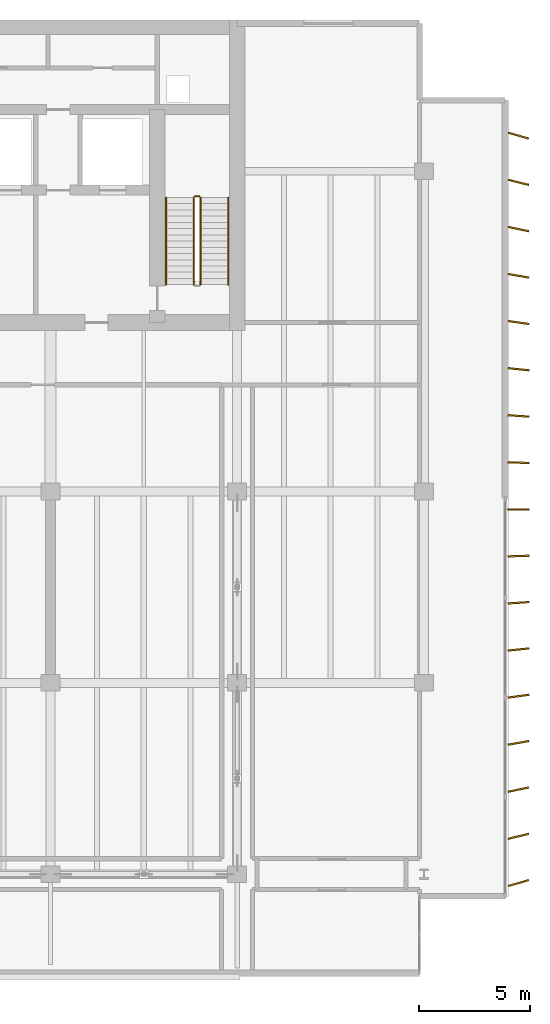
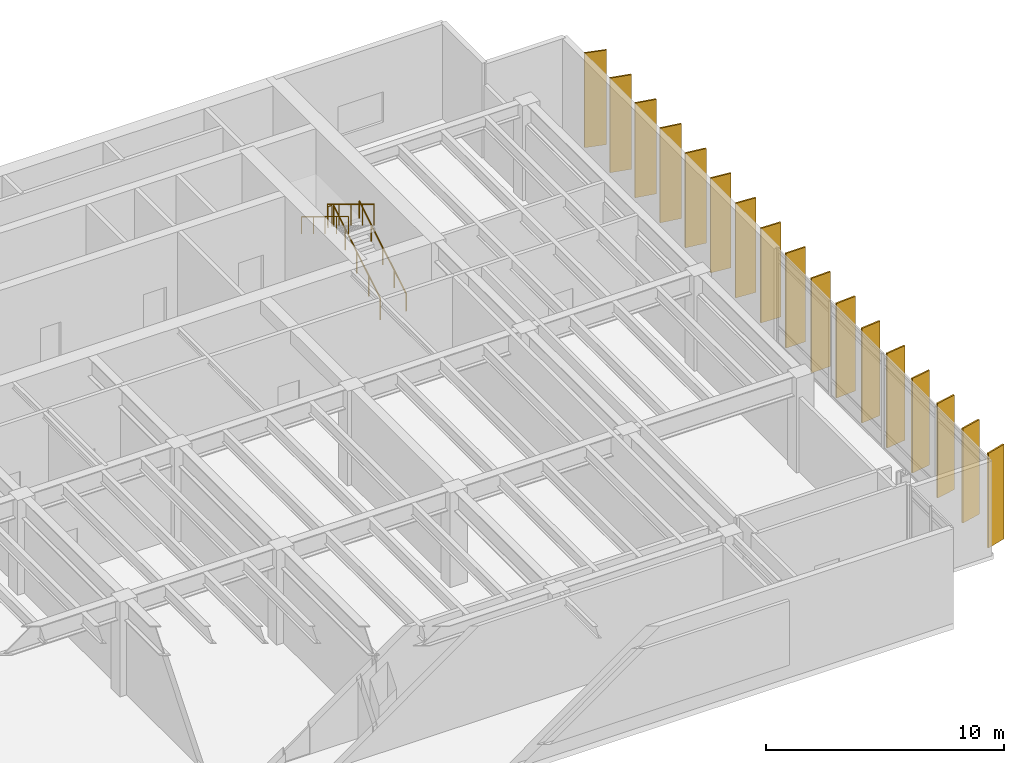
# One storey, part 23 of 23: 17 shading devices, 5 railings.
"""IFC4 building model written with IfcOpenShell, lengths in metres."""

import ifcopenshell
import ifcopenshell.guid

model = None  # the IFC model being written
_history = None  # IfcOwnerHistory: only IFC2X3 demands one
_inside = {}  # id of a spatial element -> (the spatial element, [elements in it])
_under = {}  # id of a project, library or spatial element -> (it, [spatial elements below it])
_declared = {}  # id of a project -> (the project, [libraries it declares])
_typed = {}  # id of a type object -> (the type object, [elements of that type])
_made_of = {}  # id of a material, layer set ... -> (it, [elements and type objects made of it])


def new_model(schema):
    """Start an empty IFC model of exactly this schema.

    Asked for "IFC4X3", IfcOpenShell would pick the latest addendum, in which some entities
    have other attributes; the version numbers below select the first issue.
    IFC2X3 requires an IfcOwnerHistory on every rooted entity: one is made here for all.
    """
    global model, _history
    if schema == "IFC4X3":
        model = ifcopenshell.file(schema_version=(4, 3, 0, 0))
    else:
        model = ifcopenshell.file(schema=schema)
    _inside.clear()
    _under.clear()
    _declared.clear()
    _typed.clear()
    _made_of.clear()
    _history = None
    if model.schema == "IFC2X3":
        org = make("IfcOrganization", Name="unknown")
        user = make(
            "IfcPersonAndOrganization",
            ThePerson=make("IfcPerson", FamilyName="unknown"),
            TheOrganization=org,
        )
        app = make(
            "IfcApplication",
            ApplicationDeveloper=org,
            Version="unknown",
            ApplicationFullName="unknown",
            ApplicationIdentifier="unknown",
        )
        _history = make(
            "IfcOwnerHistory",
            OwningUser=user,
            OwningApplication=app,
            ChangeAction="ADDED",
            CreationDate=0,
        )
    return model


def make(cls, **values):
    """One entity of the class cls with the attributes given. An attribute that is None is left unset."""
    return model.create_entity(
        cls, **{name: value for name, value in values.items() if value is not None}
    )


def rooted(cls, **values):
    """An entity with a GlobalId (a new one), such as an element, a storey or a relation."""
    return make(cls, GlobalId=ifcopenshell.guid.new(), OwnerHistory=_history, **values)


def si_unit(unit_type, name, prefix=None):
    """IfcSIUnit, for example si_unit("LENGTHUNIT", "METRE", prefix="MILLI")."""
    return make("IfcSIUnit", UnitType=unit_type, Prefix=prefix, Name=name)


def assignment(units):
    """IfcUnitAssignment: the units of a project."""
    return None if units is None else make("IfcUnitAssignment", Units=units)


def point(xyz):
    """IfcCartesianPoint."""
    return None if xyz is None else make("IfcCartesianPoint", Coordinates=xyz)


def direction(xyz):
    """IfcDirection."""
    return None if xyz is None else make("IfcDirection", DirectionRatios=xyz)


def frame(location, z_axis=None, x_axis=None):
    """IfcAxis2Placement3D, a coordinate frame: its origin and axes. An axis left out is left unset."""
    return make(
        "IfcAxis2Placement3D",
        Location=point(location),
        Axis=direction(z_axis),
        RefDirection=direction(x_axis),
    )


def frame_2d(location, x_axis=None):
    """IfcAxis2Placement2D, a coordinate frame in the plane: its origin and x axis."""
    return make(
        "IfcAxis2Placement2D", Location=point(location), RefDirection=direction(x_axis)
    )


def origin():
    """The frame at (0, 0, 0) with its axes left unset."""
    return frame((0.0, 0.0, 0.0))


def origin_2d():
    """The frame at (0, 0) in the plane with its x axis left unset."""
    return frame_2d((0.0, 0.0))


def place(relative_to, where):
    """IfcLocalPlacement: puts the frame where relative to a parent placement (None: the world)."""
    return make(
        "IfcLocalPlacement", PlacementRelTo=relative_to, RelativePlacement=where
    )


def context(
    kind, dimensions, precision=None, world=None, true_north=None, identifier=None
):
    """IfcGeometricRepresentationContext, for example the 3D "Model" context."""
    return make(
        "IfcGeometricRepresentationContext",
        ContextIdentifier=identifier,
        ContextType=kind,
        CoordinateSpaceDimension=dimensions,
        Precision=precision,
        WorldCoordinateSystem=world,
        TrueNorth=true_north,
    )


def subcontext(parent, identifier, kind, view, scale=None):
    """IfcGeometricRepresentationSubContext, for example "Body" below "Model"."""
    return make(
        "IfcGeometricRepresentationSubContext",
        ContextIdentifier=identifier,
        ContextType=kind,
        ParentContext=parent,
        TargetScale=scale,
        TargetView=view,
    )


def project(units=None, contexts=None):
    """IfcProject with its units and contexts."""
    return rooted(
        "IfcProject",
        Name="project",
        RepresentationContexts=contexts,
        UnitsInContext=assignment(units),
    )


def spatial(cls, under=None, at=None, **own):
    """A site, building, storey or space (cls), placed at a placement, below another one or the project."""
    s = rooted(cls, ObjectPlacement=at, **own)
    if under is not None:
        _under.setdefault(under.id(), (under, []))[1].append(s)
    return s


def profile(cls, at=None, kind="AREA", **sizes):
    """A parametric profile (cls). Its sizes go by their IFC names, for example OverallWidth=200.0."""
    return make(cls, ProfileType=kind, Position=at, **sizes)


def rectangle(**sizes):
    """IfcRectangleProfileDef."""
    return profile("IfcRectangleProfileDef", **sizes)


def circle(**sizes):
    """IfcCircleProfileDef."""
    return profile("IfcCircleProfileDef", **sizes)


def extrude(swept, where, along, depth):
    """IfcExtrudedAreaSolid: the profile swept, set in the frame where, extruded along a direction by depth."""
    return make(
        "IfcExtrudedAreaSolid",
        SweptArea=swept,
        Position=where,
        ExtrudedDirection=direction(along),
        Depth=depth,
    )


def shape(context_of_items, identifier, shape_type, items):
    """IfcShapeRepresentation: the items that make up one representation, for example the "Body"."""
    return make(
        "IfcShapeRepresentation",
        ContextOfItems=context_of_items,
        RepresentationIdentifier=identifier,
        RepresentationType=shape_type,
        Items=items,
    )


def material(Name=None, Category=None):
    """IfcMaterial."""
    return make("IfcMaterial", Name=Name, Category=Category)


def material_profile(
    of_material, cross_section, Name=None, Category=None, Priority=None
):
    """IfcMaterialProfile: a cross section and its material."""
    return make(
        "IfcMaterialProfile",
        Name=Name,
        Material=of_material,
        Profile=cross_section,
        Priority=Priority,
        Category=Category,
    )


def profile_set(profiles, Name=None, composite=None):
    """IfcMaterialProfileSet."""
    return make(
        "IfcMaterialProfileSet",
        Name=Name,
        MaterialProfiles=profiles,
        CompositeProfile=composite,
    )


def made_of(thing, what):
    """Note that an element or type object is made of a material, layer set ...; save() writes the relation."""
    if what is not None:
        _made_of.setdefault(what.id(), (what, []))[1].append(thing)
    return thing


def type_object(cls, material=None, **own):
    """A type object (cls), such as IfcWallType, which elements share."""
    return made_of(rooted(cls, **own), material)


def element(
    cls,
    number,
    at=None,
    inside=None,
    cuts=None,
    type_object=None,
    material=None,
    context=None,
    identifier="Body",
    shape_type=None,
    held_by="IfcProductDefinitionShape",
    body=None,
    shapes=None,
    **own,
):
    """One element of the class cls, such as IfcWall. Its Tag is "e" and its number.

    at: its placement. inside: the storey or other place that contains it. cuts: it is an
    opening in that element (IfcRelVoidsElement). A single representation is given by context,
    identifier, shape_type and body (its items); several are given by shapes. held_by: the class
    of the entity that holds the representations. save() writes the other relations.
    """
    e = rooted(cls, Tag="e%d" % number, ObjectPlacement=at, **own)
    if body is not None:
        shapes = [shape(context, identifier, shape_type, body)]
    if shapes is not None:
        e.Representation = make(held_by, Representations=shapes)
    if inside is not None:
        _inside.setdefault(inside.id(), (inside, []))[1].append(e)
    if cuts is not None:
        rooted(
            "IfcRelVoidsElement", RelatingBuildingElement=cuts, RelatedOpeningElement=e
        )
    if type_object is not None:
        _typed.setdefault(type_object.id(), (type_object, []))[1].append(e)
    return made_of(e, material)


def aggregate(whole, parts):
    """IfcRelAggregates: a whole, such as a stair, and the parts it consists of."""
    return rooted("IfcRelAggregates", RelatingObject=whole, RelatedObjects=parts)


def save(model, path):
    """Write the relations noted so far, then the file.

    IfcRelAggregates (storeys below a building ...), IfcRelContainedInSpatialStructure (elements
    in a storey), IfcRelDefinesByType, IfcRelAssociatesMaterial and IfcRelDeclares: one each for
    every whole, place, type object, material and project.
    """
    for whole, parts in _under.values():
        aggregate(whole, parts)
    for where, things in _inside.values():
        rooted(
            "IfcRelContainedInSpatialStructure",
            RelatedElements=things,
            RelatingStructure=where,
        )
    for kind, things in _typed.values():
        rooted("IfcRelDefinesByType", RelatedObjects=things, RelatingType=kind)
    for what, things in _made_of.values():
        rooted("IfcRelAssociatesMaterial", RelatedObjects=things, RelatingMaterial=what)
    for by, libraries in _declared.values():
        rooted("IfcRelDeclares", RelatingContext=by, RelatedDefinitions=libraries)
    model.write(path)


model = new_model("IFC4")

# Units and contexts
model_context = context("Model", 3, precision=1e-05, world=origin(), true_north=direction((0.0, 1.0)))
body_context = subcontext(model_context, "Body", "Model", "MODEL_VIEW")
ifc_project = project(units=[si_unit("LENGTHUNIT", "METRE"), si_unit("AREAUNIT", "SQUARE_METRE"), si_unit("VOLUMEUNIT", "CUBIC_METRE"), si_unit("PLANEANGLEUNIT", "RADIAN"), si_unit("MASSUNIT", "GRAM", prefix="KILO")], contexts=[model_context])

# Site, building, storey
site_placement = place(None, origin())
site = spatial("IfcSite", under=ifc_project, at=site_placement, CompositionType="ELEMENT")
building_placement = place(site_placement, origin())
building = spatial("IfcBuilding", under=site, at=building_placement, Name="Caelmar Bay Residences", CompositionType="ELEMENT")
storey_placement = place(building_placement, frame((0.0, 0.0, 221.39990234375)))
storey = spatial("IfcBuildingStorey", under=building, at=storey_placement, Name="L62", CompositionType="ELEMENT", Elevation=221.39990234375)

# Railings
ifc_material_1 = material(Name="Painted galvanized steel stair guard 1100 mm", Category="steel")
railing_type_1 = type_object("IfcRailingType", Name="RL-GRD-1100", PredefinedType="GUARDRAIL", material=ifc_material_1)
railing_1_placement = place(storey_placement, frame((57.85009765625, 38.699951171875, 0.170166015625)))
element("IfcRailing", 1, at=railing_1_placement, inside=storey, type_object=railing_type_1, Name="L62 ST2 stair guard 1", PredefinedType="GUARDRAIL", context=body_context, shape_type="SweptSolid", body=[
    extrude(circle(Radius=0.02392578125, at=origin_2d()), frame((0.0, 0.0, 1.076171875), z_axis=(0.0, 0.854808600491, 0.518943403973), x_axis=(-1.0, 0.0, 0.0)), (0.0, 0.0, 1.0), 4.5859375),
    extrude(circle(Radius=0.02099609375, at=origin_2d()), origin(), (0.0, 0.0, 1.0), 1.052001953125),
    extrude(circle(Radius=0.02099609375, at=origin_2d()), frame((0.0, 0.97998046875, 0.594970703125)), (0.0, 0.0, 1.0), 1.052001953125),
    extrude(circle(Radius=0.02099609375, at=origin_2d()), frame((0.0, 1.9599609375, 1.18994140625)), (0.0, 0.0, 1.0), 1.052001953125),
    extrude(circle(Radius=0.02099609375, at=origin_2d()), frame((0.0, 2.940185546875, 1.784912109375)), (0.0, 0.0, 1.0), 1.052001953125),
    extrude(circle(Radius=0.02099609375, at=origin_2d()), frame((0.0, 3.920166015625, 2.3798828125)), (0.0, 0.0, 1.0), 1.052001953125),
])
railing_2_placement = place(storey_placement, frame((57.800048828125, 42.669921875, 2.550048828125)))
element("IfcRailing", 2, at=railing_2_placement, inside=storey, type_object=railing_type_1, Name="L62 ST2 stair guard 2", PredefinedType="GUARDRAIL", context=body_context, shape_type="SweptSolid", body=[
    extrude(circle(Radius=0.02392578125, at=origin_2d()), frame((0.0, 0.0, 1.076171875), z_axis=(-1.0, 0.0, 0.0), x_axis=(0.0, -1.0, 0.0)), (0.0, 0.0, 1.0), 0.199951171875),
    extrude(circle(Radius=0.02099609375, at=origin_2d()), origin(), (0.0, 0.0, 1.0), 1.052001953125),
    extrude(circle(Radius=0.02099609375, at=origin_2d()), frame((-0.199951171875, 0.0, 0.0)), (0.0, 0.0, 1.0), 1.052001953125),
])
railing_3_placement = place(storey_placement, frame((57.550048828125, 42.6201171875, 2.72021484375)))
element("IfcRailing", 3, at=railing_3_placement, inside=storey, type_object=railing_type_1, Name="L62 ST2 stair guard 3", PredefinedType="GUARDRAIL", context=body_context, shape_type="SweptSolid", body=[
    extrude(circle(Radius=0.02392578125, at=origin_2d()), frame((0.0, 0.0, 1.076171875), z_axis=(0.0, -0.854808600491, 0.518943403973), x_axis=(1.0, 0.0, 0.0)), (0.0, 0.0, 1.0), 4.5859375),
    extrude(circle(Radius=0.02099609375, at=origin_2d()), origin(), (0.0, 0.0, 1.0), 1.052001953125),
    extrude(circle(Radius=0.02099609375, at=origin_2d()), frame((0.0, -0.97998046875, 0.594970703125)), (0.0, 0.0, 1.0), 1.052001953125),
    extrude(circle(Radius=0.02099609375, at=origin_2d()), frame((0.0, -1.9599609375, 1.18994140625)), (0.0, 0.0, 1.0), 1.052001953125),
    extrude(circle(Radius=0.02099609375, at=origin_2d()), frame((0.0, -2.940185546875, 1.784912109375)), (0.0, 0.0, 1.0), 1.052001953125),
    extrude(circle(Radius=0.02099609375, at=origin_2d()), frame((0.0, -3.920166015625, 2.3798828125)), (0.0, 0.0, 1.0), 1.052001953125),
])
ifc_material_2 = material(Name="Brushed bronze stainless-steel tubular handrail 900 mm", Category="steel")
railing_type_2 = type_object("IfcRailingType", Name="RL-HND-900", PredefinedType="HANDRAIL", material=ifc_material_2)
railing_4_placement = place(storey_placement, frame((59.10009765625, 38.699951171875, 0.170166015625)))
element("IfcRailing", 4, at=railing_4_placement, inside=storey, type_object=railing_type_2, Name="L62 ST2 stair handrail 1", PredefinedType="HANDRAIL", context=body_context, shape_type="SweptSolid", body=[
    extrude(circle(Radius=0.02392578125, at=origin_2d()), frame((0.0, 0.0, 0.8759765625), z_axis=(0.0, 0.854808600491, 0.518943403973), x_axis=(-1.0, 0.0, 0.0)), (0.0, 0.0, 1.0), 4.5859375),
    extrude(circle(Radius=0.02099609375, at=origin_2d()), origin(), (0.0, 0.0, 1.0), 0.851806640625),
    extrude(circle(Radius=0.02099609375, at=origin_2d()), frame((0.0, 0.97998046875, 0.594970703125)), (0.0, 0.0, 1.0), 0.851806640625),
    extrude(circle(Radius=0.02099609375, at=origin_2d()), frame((0.0, 1.9599609375, 1.18994140625)), (0.0, 0.0, 1.0), 0.851806640625),
    extrude(circle(Radius=0.02099609375, at=origin_2d()), frame((0.0, 2.940185546875, 1.784912109375)), (0.0, 0.0, 1.0), 0.851806640625),
    extrude(circle(Radius=0.02099609375, at=origin_2d()), frame((0.0, 3.920166015625, 2.3798828125)), (0.0, 0.0, 1.0), 0.851806640625),
])
railing_5_placement = place(storey_placement, frame((56.300048828125, 42.6201171875, 2.72021484375)))
element("IfcRailing", 5, at=railing_5_placement, inside=storey, type_object=railing_type_2, Name="L62 ST2 stair handrail 2", PredefinedType="HANDRAIL", context=body_context, shape_type="SweptSolid", body=[
    extrude(circle(Radius=0.02392578125, at=origin_2d()), frame((0.0, 0.0, 0.8759765625), z_axis=(0.0, -0.854808600491, 0.518943403973), x_axis=(1.0, 0.0, 0.0)), (0.0, 0.0, 1.0), 4.5859375),
    extrude(circle(Radius=0.02099609375, at=origin_2d()), origin(), (0.0, 0.0, 1.0), 0.851806640625),
    extrude(circle(Radius=0.02099609375, at=origin_2d()), frame((0.0, -0.97998046875, 0.594970703125)), (0.0, 0.0, 1.0), 0.851806640625),
    extrude(circle(Radius=0.02099609375, at=origin_2d()), frame((0.0, -1.9599609375, 1.18994140625)), (0.0, 0.0, 1.0), 0.851806640625),
    extrude(circle(Radius=0.02099609375, at=origin_2d()), frame((0.0, -2.940185546875, 1.784912109375)), (0.0, 0.0, 1.0), 0.851806640625),
    extrude(circle(Radius=0.02099609375, at=origin_2d()), frame((0.0, -3.920166015625, 2.3798828125)), (0.0, 0.0, 1.0), 0.851806640625),
])

# Shading devices
ifc_material_3 = material(Name="Anodised architectural bronze aluminium 6063-T6", Category="aluminium")
ifc_material_profile = material_profile(ifc_material_3, rectangle(XDim=0.074951171875, YDim=0.949951171875, at=origin_2d()), Name="BRONZE-FIN-75X950")
ifc_profile_set = profile_set([ifc_material_profile], Name="Anodised architectural bronze aluminium 6063-T6")
shading_device_type = type_object("IfcShadingDeviceType", Name="SHD-FIN-950", PredefinedType="USERDEFINED", material=ifc_profile_set)
for number, where, z_axis, x_axis, name in (
    (6, (72.14990234375, 11.800048828125, 0.0), (0.0, 0.0, 1.0), (-0.275637355817, 0.961261695938, 0.0), "L62 East Bronze Solar Fin 1"),
    (7, (72.14990234375, 13.89990234375, 0.0), (0.0, 0.0, 1.0), (-0.2419218956, 0.970295726276, 0.0), "L62 East Bronze Solar Fin 2"),
    (8, (72.14990234375, 16.0, 0.0), (0.0, 0.0, 1.0), (-0.207911690818, 0.978147600734, 0.0), "L62 East Bronze Solar Fin 3"),
    (9, (72.14990234375, 18.10009765625, 0.0), (0.0, 0.0, 1.0), (-0.173648177667, 0.984807753012, 0.0), "L62 East Bronze Solar Fin 4"),
    (10, (72.14990234375, 20.199951171875, 0.0), (0.0, 0.0, 1.0), (-0.13917310096, 0.990268068742, 0.0), "L62 East Bronze Solar Fin 5"),
    (11, (72.14990234375, 22.300048828125, 0.0), (0.0, 0.0, 1.0), (-0.104528463268, 0.994521895368, 0.0), "L62 East Bronze Solar Fin 6"),
    (12, (72.14990234375, 24.39990234375, 0.0), (0.0, 0.0, 1.0), (-0.069756473744, 0.99756405026, 0.0), "L62 East Bronze Solar Fin 7"),
    (13, (72.14990234375, 26.5, 0.0), (0.0, 0.0, 1.0), (-0.034899496703, 0.999390827019, 0.0), "L62 East Bronze Solar Fin 8"),
    (14, (72.14990234375, 28.60009765625, 0.0), (0.0, 0.0, 1.0), (0.0, 1.0, 0.0), "L62 East Bronze Solar Fin 9"),
    (15, (72.14990234375, 30.699951171875, 0.0), (0.0, 0.0, 1.0), (0.034899496703, 0.999390827019, 0.0), "L62 East Bronze Solar Fin 10"),
    (16, (72.14990234375, 32.800048828125, 0.0), (0.0, 0.0, 1.0), (0.069756473744, 0.99756405026, 0.0), "L62 East Bronze Solar Fin 11"),
    (17, (72.14990234375, 34.89990234375, 0.0), (0.0, 0.0, 1.0), (0.104528463268, 0.994521895368, 0.0), "L62 East Bronze Solar Fin 12"),
    (18, (72.14990234375, 37.0, 0.0), (0.0, 0.0, 1.0), (0.13917310096, 0.990268068742, 0.0), "L62 East Bronze Solar Fin 13"),
    (19, (72.14990234375, 39.10009765625, 0.0), (0.0, 0.0, 1.0), (0.173648177667, 0.984807753012, 0.0), "L62 East Bronze Solar Fin 14"),
    (20, (72.14990234375, 41.199951171875, 0.0), (0.0, 0.0, 1.0), (0.207911690818, 0.978147600734, 0.0), "L62 East Bronze Solar Fin 15"),
    (21, (72.14990234375, 43.300048828125, 0.0), (0.0, 0.0, 1.0), (0.2419218956, 0.970295726276, 0.0), "L62 East Bronze Solar Fin 16"),
    (22, (72.14990234375, 45.39990234375, 0.0), (0.0, 0.0, 1.0), (0.275637355817, 0.961261695938, 0.0), "L62 East Bronze Solar Fin 17"),
):
    element("IfcShadingDevice", number, at=place(storey_placement, frame(where, z_axis=z_axis, x_axis=x_axis)), inside=storey, type_object=shading_device_type, Name=name, ObjectType="FIN", PredefinedType="USERDEFINED", context=body_context, shape_type="SweptSolid", body=[
        extrude(rectangle(XDim=0.074951171875, YDim=0.949951171875, at=origin_2d()), origin(), (0.0, 0.0, 1.0), 4.85009765625),
    ])

save(model, "model.ifc")
